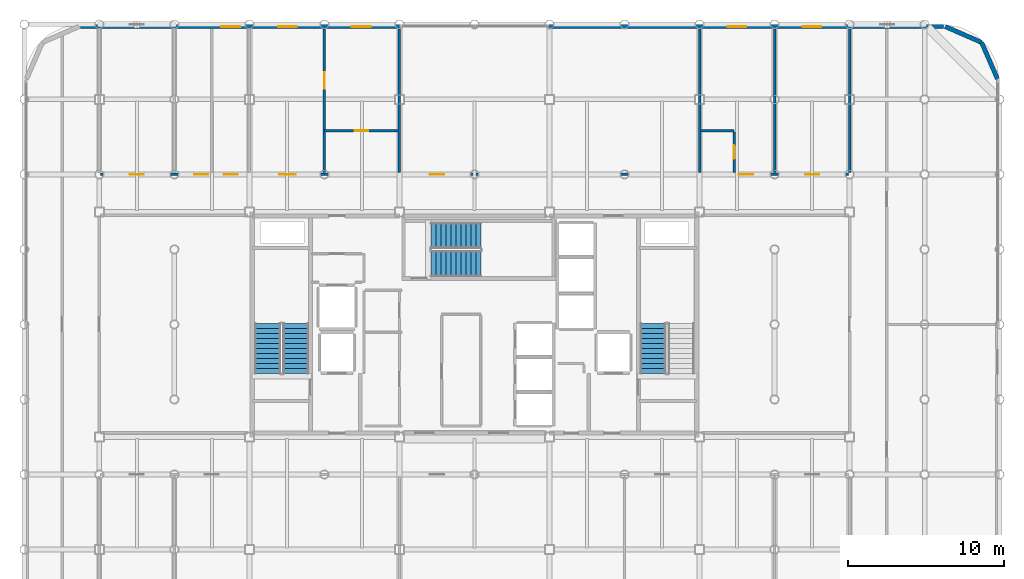
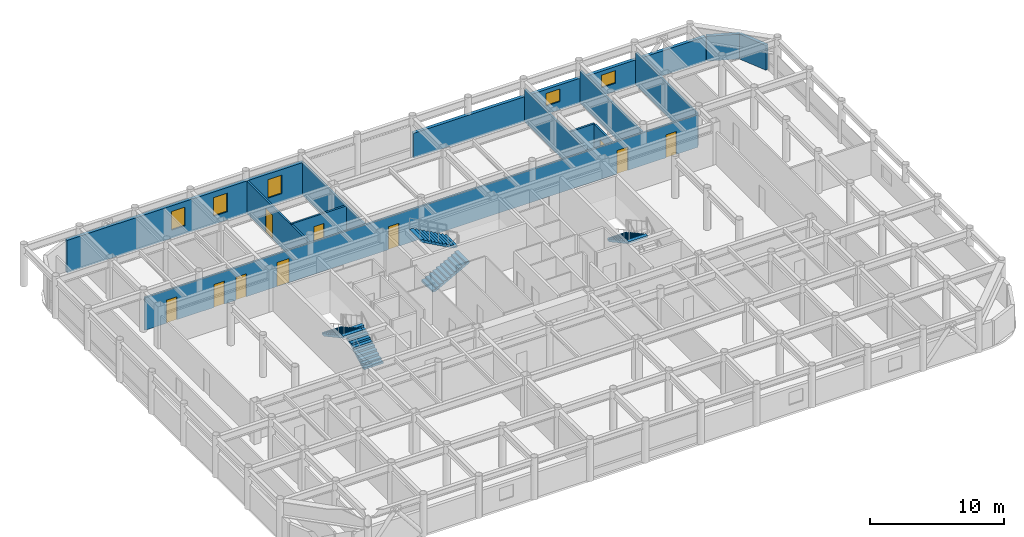
# One storey, part 19 of 21: 13 walls, 10 doors, 5 stair flights, 5 windows, 15 openings, 3 elements without a shape of their own.
"""IFC4 building model written with IfcOpenShell, lengths in metres."""

from ifc_helpers import new_model, si_unit, direction, frame, frame_2d, origin, place, context, subcontext, project, spatial, polyline, rectangle, outline, extrude, material, layer, layer_set, type_object, element, fill, aggregate, save


model = new_model("IFC4")

# Units and contexts
model_context = context("Model", 3, precision=1e-05, world=origin(), true_north=direction((0.0, 1.0)))
body_context = subcontext(model_context, "Body", "Model", "MODEL_VIEW")
ifc_project = project(units=[si_unit("LENGTHUNIT", "METRE"), si_unit("AREAUNIT", "SQUARE_METRE"), si_unit("VOLUMEUNIT", "CUBIC_METRE"), si_unit("PLANEANGLEUNIT", "RADIAN"), si_unit("MASSUNIT", "GRAM", prefix="KILO")], contexts=[model_context])

# Site, building, storey
site_placement = place(None, origin())
site = spatial("IfcSite", under=ifc_project, at=site_placement, CompositionType="ELEMENT")
building_placement = place(site_placement, origin())
building = spatial("IfcBuilding", under=site, at=building_placement, Name="Kallvorn Hotel Tower", CompositionType="ELEMENT")
storey_placement = place(building_placement, frame((0.0, 0.0, 214.60009765625)))
storey = spatial("IfcBuildingStorey", under=building, at=storey_placement, Name="L53", CompositionType="ELEMENT", Elevation=214.60009765625)

# Wall, openings, doors
ifc_material_1 = material(Name="Fire-rated double-layer acoustic gypsum drywall EI 60")
ifc_layer_1 = layer(ifc_material_1, 0.159912109375)
ifc_layer_set_1 = layer_set([ifc_layer_1], Name="WL_DEMISE_160")
wall_type_1 = type_object("IfcWallType", Name="WL_DEMISE_160", PredefinedType="PARTITIONING", material=ifc_layer_set_1)
wall_1_placement = place(storey_placement, frame((-23.919921875, 9.60009765625, 0.0), z_axis=(0.0, 0.0, 1.0), x_axis=(1.0, 0.0, 0.0)))
wall_1 = element("IfcWall", 1, at=wall_1_placement, inside=storey, type_object=wall_type_1, Name="L53 Suite 5301 Junior Living Salon Partition", PredefinedType="PARTITIONING", context=body_context, shape_type="SweptSolid", body=[
    extrude(rectangle(XDim=47.83984375, YDim=0.159912109375, at=frame_2d((23.919921875, 0.0))), origin(), (0.0, 0.0, 1.0), 2.969970703125),
])
opening_1_placement = place(wall_1_placement, frame((1.8701171875, 0.0, 0.0)))
opening_1 = element("IfcOpeningElement", 2, at=opening_1_placement, cuts=wall_1, Name="Opening SVD1", PredefinedType="OPENING", context=body_context, shape_type="SweptSolid", body=[
    extrude(rectangle(XDim=0.89990234375, YDim=2.10009765625, at=frame_2d((0.449951171875, 1.050048828125))), frame((0.0, 0.094970703125, 0.0), z_axis=(0.0, -1.0, 0.0), x_axis=(1.0, 0.0, 0.0)), (0.0, 0.0, 1.0), 0.18994140625),
])
opening_2_placement = place(wall_1_placement, frame((45.070068359375, 0.0, 0.0)))
opening_2 = element("IfcOpeningElement", 3, at=opening_2_placement, cuts=wall_1, Name="Opening SVD1", PredefinedType="OPENING", context=body_context, shape_type="SweptSolid", body=[
    extrude(rectangle(XDim=0.89990234375, YDim=2.10009765625, at=frame_2d((0.449951171875, 1.050048828125))), frame((0.0, 0.094970703125, 0.0), z_axis=(0.0, -1.0, 0.0), x_axis=(1.0, 0.0, 0.0)), (0.0, 0.0, 1.0), 0.18994140625),
])
opening_3_placement = place(wall_1_placement, frame((5.97998046875, 0.0, 0.0)))
opening_3 = element("IfcOpeningElement", 4, at=opening_3_placement, cuts=wall_1, Name="Opening SVD1", PredefinedType="OPENING", context=body_context, shape_type="SweptSolid", body=[
    extrude(rectangle(XDim=0.89990234375, YDim=2.10009765625, at=frame_2d((0.449951171875, 1.050048828125))), frame((0.0, 0.094970703125, 0.0), z_axis=(0.0, -1.0, 0.0), x_axis=(1.0, 0.0, 0.0)), (0.0, 0.0, 1.0), 0.18994140625),
])
opening_4_placement = place(wall_1_placement, frame((7.8701171875, 0.0, 0.0)))
opening_4 = element("IfcOpeningElement", 5, at=opening_4_placement, cuts=wall_1, Name="Opening SVD1", PredefinedType="OPENING", context=body_context, shape_type="SweptSolid", body=[
    extrude(rectangle(XDim=0.89990234375, YDim=2.10009765625, at=frame_2d((0.449951171875, 1.050048828125))), frame((0.0, 0.094970703125, 0.0), z_axis=(0.0, -1.0, 0.0), x_axis=(1.0, 0.0, 0.0)), (0.0, 0.0, 1.0), 0.18994140625),
])
opening_5_placement = place(wall_1_placement, frame((11.43505859375, 0.0, 0.0)))
opening_5 = element("IfcOpeningElement", 6, at=opening_5_placement, cuts=wall_1, Name="Opening GD2", PredefinedType="OPENING", context=body_context, shape_type="SweptSolid", body=[
    extrude(rectangle(XDim=1.050048828125, YDim=2.199951171875, at=frame_2d((0.52490234375, 1.10009765625))), frame((0.0, 0.094970703125, 0.0), z_axis=(0.0, -1.0, 0.0), x_axis=(1.0, 0.0, 0.0)), (0.0, 0.0, 1.0), 0.18994140625),
])
opening_6_placement = place(wall_1_placement, frame((21.070068359375, 0.0, 0.0)))
opening_6 = element("IfcOpeningElement", 7, at=opening_6_placement, cuts=wall_1, Name="Opening SVD1", PredefinedType="OPENING", context=body_context, shape_type="SweptSolid", body=[
    extrude(rectangle(XDim=0.89990234375, YDim=2.10009765625, at=frame_2d((0.449951171875, 1.050048828125))), frame((0.0, 0.094970703125, 0.0), z_axis=(0.0, -1.0, 0.0), x_axis=(1.0, 0.0, 0.0)), (0.0, 0.0, 1.0), 0.18994140625),
])
opening_7_placement = place(wall_1_placement, frame((40.830078125, 0.0, 0.0)))
opening_7 = element("IfcOpeningElement", 8, at=opening_7_placement, cuts=wall_1, Name="Opening GD1", PredefinedType="OPENING", context=body_context, shape_type="SweptSolid", body=[
    extrude(rectangle(XDim=0.919921875, YDim=2.14990234375, at=frame_2d((0.4599609375, 1.074951171875))), frame((0.0, 0.094970703125, 0.0), z_axis=(0.0, -1.0, 0.0), x_axis=(1.0, 0.0, 0.0)), (0.0, 0.0, 1.0), 0.18994140625),
])
ifc_material_2 = material(Name="Solid-core walnut veneer fire-rated timber door leaf", Category="wood")
door_type_1 = type_object("IfcDoorType", Name="DR_GUEST_920x2150", OperationType="NOTDEFINED", PredefinedType="DOOR", material=ifc_material_2)
door_1_placement = place(opening_7_placement, origin())
door_1 = element("IfcDoor", 9, at=door_1_placement, inside=storey, type_object=door_type_1, Name="L53 Suite 5302 Standard Twin Room Door", OperationType="SINGLE_SWING_LEFT", OverallHeight=2.14990234375, OverallWidth=0.919921875, PredefinedType="DOOR", context=body_context, shape_type="SweptSolid", body=[
    extrude(rectangle(XDim=0.919921875, YDim=2.14990234375, at=frame_2d((0.4599609375, 1.074951171875))), frame((0.0, 0.02490234375, 0.0), z_axis=(0.0, -1.0, 0.0), x_axis=(1.0, 0.0, 0.0)), (0.0, 0.0, 1.0), 0.050048828125),
])
fill(opening_7, door_1)
ifc_material_3 = material(Name="Galvanised painted steel fire-rated door assembly", Category="steel")
door_type_2 = type_object("IfcDoorType", Name="DR_SERV_900x2100", OperationType="NOTDEFINED", PredefinedType="DOOR", material=ifc_material_3)
door_2_placement = place(opening_1_placement, origin())
door_2 = element("IfcDoor", 10, at=door_2_placement, inside=storey, type_object=door_type_2, Name="L53 L53 High-Zone North-West Reading Salon Door", OperationType="SINGLE_SWING_RIGHT", OverallHeight=2.10009765625, OverallWidth=0.89990234375, PredefinedType="DOOR", context=body_context, shape_type="SweptSolid", body=[
    extrude(rectangle(XDim=0.89990234375, YDim=2.10009765625, at=frame_2d((0.449951171875, 1.050048828125))), frame((0.0, 0.02490234375, 0.0), z_axis=(0.0, -1.0, 0.0), x_axis=(1.0, 0.0, 0.0)), (0.0, 0.0, 1.0), 0.050048828125),
])
fill(opening_1, door_2)
door_3_placement = place(opening_2_placement, origin())
door_3 = element("IfcDoor", 11, at=door_3_placement, inside=storey, type_object=door_type_2, Name="L53 L53 High-Zone North-East Pastry Bar Door", OperationType="SINGLE_SWING_RIGHT", OverallHeight=2.10009765625, OverallWidth=0.89990234375, PredefinedType="DOOR", context=body_context, shape_type="SweptSolid", body=[
    extrude(rectangle(XDim=0.89990234375, YDim=2.10009765625, at=frame_2d((0.449951171875, 1.050048828125))), frame((0.0, 0.02490234375, 0.0), z_axis=(0.0, -1.0, 0.0), x_axis=(1.0, 0.0, 0.0)), (0.0, 0.0, 1.0), 0.050048828125),
])
fill(opening_2, door_3)
door_4_placement = place(opening_3_placement, origin())
door_4 = element("IfcDoor", 12, at=door_4_placement, inside=storey, type_object=door_type_2, Name="L53 Housekeeping and Linen Room Door", OperationType="SINGLE_SWING_LEFT", OverallHeight=2.10009765625, OverallWidth=0.89990234375, PredefinedType="DOOR", context=body_context, shape_type="SweptSolid", body=[
    extrude(rectangle(XDim=0.89990234375, YDim=2.10009765625, at=frame_2d((0.449951171875, 1.050048828125))), frame((0.0, 0.02490234375, 0.0), z_axis=(0.0, -1.0, 0.0), x_axis=(1.0, 0.0, 0.0)), (0.0, 0.0, 1.0), 0.050048828125),
])
fill(opening_3, door_4)
door_5_placement = place(opening_4_placement, origin())
door_5 = element("IfcDoor", 13, at=door_5_placement, inside=storey, type_object=door_type_2, Name="L53 Guest Tea and Refreshment Bar Door", OperationType="SINGLE_SWING_LEFT", OverallHeight=2.10009765625, OverallWidth=0.89990234375, PredefinedType="DOOR", context=body_context, shape_type="SweptSolid", body=[
    extrude(rectangle(XDim=0.89990234375, YDim=2.10009765625, at=frame_2d((0.449951171875, 1.050048828125))), frame((0.0, 0.02490234375, 0.0), z_axis=(0.0, -1.0, 0.0), x_axis=(1.0, 0.0, 0.0)), (0.0, 0.0, 1.0), 0.050048828125),
])
fill(opening_4, door_5)
door_6_placement = place(opening_6_placement, origin())
door_6 = element("IfcDoor", 14, at=door_6_placement, inside=storey, type_object=door_type_2, Name="L53 L53 Panorama Banquet Event Hall 3 Door", OperationType="SINGLE_SWING_LEFT", OverallHeight=2.10009765625, OverallWidth=0.89990234375, PredefinedType="DOOR", context=body_context, shape_type="SweptSolid", body=[
    extrude(rectangle(XDim=0.89990234375, YDim=2.10009765625, at=frame_2d((0.449951171875, 1.050048828125))), frame((0.0, 0.02490234375, 0.0), z_axis=(0.0, -1.0, 0.0), x_axis=(1.0, 0.0, 0.0)), (0.0, 0.0, 1.0), 0.050048828125),
])
fill(opening_6, door_6)
ifc_material_4 = material(Name="Solid-core walnut veneer fire-rated timber door leaf", Category="wood")
door_type_3 = type_object("IfcDoorType", Name="DR_SUITE_1050x2200", OperationType="NOTDEFINED", PredefinedType="DOOR", material=ifc_material_4)
door_7_placement = place(opening_5_placement, origin())
door_7 = element("IfcDoor", 15, at=door_7_placement, inside=storey, type_object=door_type_3, Name="L53 Suite 5301 Junior Living Salon Door", OperationType="SINGLE_SWING_RIGHT", OverallHeight=2.199951171875, OverallWidth=1.050048828125, PredefinedType="DOOR", context=body_context, shape_type="SweptSolid", body=[
    extrude(rectangle(XDim=1.050048828125, YDim=2.199951171875, at=frame_2d((0.52490234375, 1.10009765625))), frame((0.0, 0.02490234375, 0.0), z_axis=(0.0, -1.0, 0.0), x_axis=(1.0, 0.0, 0.0)), (0.0, 0.0, 1.0), 0.050048828125),
])
fill(opening_5, door_7)

# Wall, opening, door
wall_2_placement = place(storey_placement, frame((-9.60009765625, 12.39501953125, 0.0), z_axis=(0.0, 0.0, 1.0), x_axis=(1.0, 0.0, 0.0)))
wall_2 = element("IfcWall", 16, at=wall_2_placement, inside=storey, type_object=wall_type_1, Name="L53 Suite 5301 Junior Bedroom Partition", PredefinedType="PARTITIONING", context=body_context, shape_type="SweptSolid", body=[
    extrude(rectangle(XDim=4.72021484375, YDim=0.159912109375, at=frame_2d((2.360107421875, 0.0))), origin(), (0.0, 0.0, 1.0), 3.02001953125),
])
opening_8_placement = place(wall_2_placement, frame((1.929931640625, 0.0, 0.0)))
opening_8 = element("IfcOpeningElement", 17, at=opening_8_placement, cuts=wall_2, Name="Opening BD-I", PredefinedType="OPENING", context=body_context, shape_type="SweptSolid", body=[
    extrude(rectangle(XDim=0.860107421875, YDim=2.10009765625, at=frame_2d((0.43017578125, 1.050048828125))), frame((0.0, 0.094970703125, 0.0), z_axis=(0.0, -1.0, 0.0), x_axis=(1.0, 0.0, 0.0)), (0.0, 0.0, 1.0), 0.18994140625),
])
ifc_material_5 = material(Name="Solid-core walnut veneer fire-rated timber door leaf", Category="wood")
door_type_4 = type_object("IfcDoorType", Name="DR_BATH_860x2100", OperationType="NOTDEFINED", PredefinedType="DOOR", material=ifc_material_5)
door_8_placement = place(opening_8_placement, origin())
door_8 = element("IfcDoor", 18, at=door_8_placement, inside=storey, type_object=door_type_4, Name="L53 Suite 5301 En-Suite Bathroom Door", OperationType="SINGLE_SWING_LEFT", OverallHeight=2.10009765625, OverallWidth=0.860107421875, PredefinedType="DOOR", context=body_context, shape_type="SweptSolid", body=[
    extrude(rectangle(XDim=0.860107421875, YDim=2.10009765625, at=frame_2d((0.43017578125, 1.050048828125))), frame((0.0, 0.02490234375, 0.0), z_axis=(0.0, -1.0, 0.0), x_axis=(1.0, 0.0, 0.0)), (0.0, 0.0, 1.0), 0.050048828125),
])
fill(opening_8, door_8)

# Wall
wall_3_placement = place(storey_placement, frame((14.47998046875, 12.39501953125, 0.0), z_axis=(0.0, 0.0, 1.0), x_axis=(1.0, 0.0, 0.0)))
element("IfcWall", 19, at=wall_3_placement, inside=storey, type_object=wall_type_1, Name="L53 Suite 5302 Standard Twin Room Partition", PredefinedType="PARTITIONING", context=body_context, shape_type="SweptSolid", body=[
    extrude(rectangle(XDim=2.130126953125, YDim=0.159912109375, at=frame_2d((1.06494140625, 0.0))), origin(), (0.0, 0.0, 1.0), 3.02001953125),
])

# Wall, opening, door
wall_4_placement = place(storey_placement, frame((-9.60009765625, 9.719970703125, 0.0), z_axis=(0.0, 0.0, 1.0), x_axis=(0.0, 1.0, 0.0)))
wall_4 = element("IfcWall", 20, at=wall_4_placement, inside=storey, type_object=wall_type_1, Name="L53 Suite 5301 Junior Living Salon Partition", PredefinedType="PARTITIONING", context=body_context, shape_type="SweptSolid", body=[
    extrude(rectangle(XDim=9.18994140625, YDim=0.159912109375, at=frame_2d((4.594970703125, 0.0))), origin(), (0.0, 0.0, 1.0), 2.969970703125),
])
opening_9_placement = place(wall_4_placement, frame((5.364990234375, 0.0, 0.0)))
opening_9 = element("IfcOpeningElement", 21, at=opening_9_placement, cuts=wall_4, Name="Opening GD2", PredefinedType="OPENING", context=body_context, shape_type="SweptSolid", body=[
    extrude(rectangle(XDim=1.050048828125, YDim=2.199951171875, at=frame_2d((0.52490234375, 1.10009765625))), frame((0.0, 0.094970703125, 0.0), z_axis=(0.0, -1.0, 0.0), x_axis=(1.0, 0.0, 0.0)), (0.0, 0.0, 1.0), 0.18994140625),
])
door_9_placement = place(opening_9_placement, origin())
door_9 = element("IfcDoor", 22, at=door_9_placement, inside=storey, type_object=door_type_3, Name="L53 Suite 5301 Junior Bedroom Door", OperationType="SINGLE_SWING_LEFT", OverallHeight=2.199951171875, OverallWidth=1.050048828125, PredefinedType="DOOR", context=body_context, shape_type="SweptSolid", body=[
    extrude(rectangle(XDim=1.050048828125, YDim=2.199951171875, at=frame_2d((0.52490234375, 1.10009765625))), frame((0.0, 0.02490234375, 0.0), z_axis=(0.0, -1.0, 0.0), x_axis=(1.0, 0.0, 0.0)), (0.0, 0.0, 1.0), 0.050048828125),
])
fill(opening_9, door_9)

# Walls
for number, where, z_axis, x_axis, name in (
    (23, (-4.800048828125, 9.719970703125, 0.0), (0.0, 0.0, 1.0), (0.0, 1.0, 0.0), "L53 Suite 5301 Junior Bedroom Partition"),
    (24, (14.39990234375, 9.719970703125, 0.0), (0.0, 0.0, 1.0), (0.0, 1.0, 0.0), "L53 Suite 5302 Standard Twin Room Partition"),
):
    element("IfcWall", number, at=place(storey_placement, frame(where, z_axis=z_axis, x_axis=x_axis)), inside=storey, type_object=wall_type_1, Name=name, PredefinedType="PARTITIONING", context=body_context, shape_type="SweptSolid", body=[
        extrude(rectangle(XDim=9.18994140625, YDim=0.159912109375, at=frame_2d((4.594970703125, 0.0))), origin(), (0.0, 0.0, 1.0), 2.969970703125),
    ])

# Wall, opening, door
wall_5_placement = place(storey_placement, frame((16.610107421875, 9.719970703125, 0.0), z_axis=(0.0, 0.0, 1.0), x_axis=(0.0, 1.0, 0.0)))
wall_5 = element("IfcWall", 25, at=wall_5_placement, inside=storey, type_object=wall_type_1, Name="L53 Suite 5302 Standard Twin Room Partition", PredefinedType="PARTITIONING", context=body_context, shape_type="SweptSolid", body=[
    extrude(rectangle(XDim=2.590087890625, YDim=0.159912109375, at=frame_2d((1.294921875, 0.0))), origin(), (0.0, 0.0, 1.0), 2.969970703125),
])
opening_10_placement = place(wall_5_placement, frame((0.8701171875, 0.0, 0.0)))
opening_10 = element("IfcOpeningElement", 26, at=opening_10_placement, cuts=wall_5, Name="Opening BD-I", PredefinedType="OPENING", context=body_context, shape_type="SweptSolid", body=[
    extrude(rectangle(XDim=0.860107421875, YDim=2.10009765625, at=frame_2d((0.43017578125, 1.050048828125))), frame((0.0, 0.094970703125, 0.0), z_axis=(0.0, -1.0, 0.0), x_axis=(1.0, 0.0, 0.0)), (0.0, 0.0, 1.0), 0.18994140625),
])
door_10_placement = place(opening_10_placement, origin())
door_10 = element("IfcDoor", 27, at=door_10_placement, inside=storey, type_object=door_type_4, Name="L53 Suite 5302 En-Suite Bathroom Door", OperationType="SINGLE_SWING_RIGHT", OverallHeight=2.10009765625, OverallWidth=0.860107421875, PredefinedType="DOOR", context=body_context, shape_type="SweptSolid", body=[
    extrude(rectangle(XDim=0.860107421875, YDim=2.10009765625, at=frame_2d((0.43017578125, 1.050048828125))), frame((0.0, 0.02490234375, 0.0), z_axis=(0.0, -1.0, 0.0), x_axis=(1.0, 0.0, 0.0)), (0.0, 0.0, 1.0), 0.050048828125),
])
fill(opening_10, door_10)

# Walls
wall_6_placement = place(storey_placement, frame((19.199951171875, 9.719970703125, 0.0), z_axis=(0.0, 0.0, 1.0), x_axis=(0.0, 1.0, 0.0)))
element("IfcWall", 28, at=wall_6_placement, inside=storey, type_object=wall_type_1, Name="L53 Suite 5302 Standard Twin Room Partition", PredefinedType="PARTITIONING", context=body_context, shape_type="SweptSolid", body=[
    extrude(rectangle(XDim=9.18994140625, YDim=0.159912109375, at=frame_2d((4.594970703125, 0.0))), origin(), (0.0, 0.0, 1.0), 2.969970703125),
])
ifc_material_6 = material(Name="Precast basalt-clad insulated concrete wall C40/50", Category="masonry")
ifc_layer_2 = layer(ifc_material_6, 0.280029296875)
ifc_layer_set_2 = layer_set([ifc_layer_2], Name="WL_EXT_LOGGIA_280")
wall_type_2 = type_object("IfcWallType", Name="WL_EXT_LOGGIA_280", PredefinedType="SOLIDWALL", material=ifc_layer_set_2)
wall_7_placement = place(storey_placement, frame((33.4580078125, 15.720703125, 0.0), z_axis=(0.0, 0.0, 1.0), x_axis=(-0.398792985289, 0.917040977756, 0.0)))
element("IfcWall", 29, at=wall_7_placement, inside=storey, type_object=wall_type_2, Name="L53 Rounded Corner Exterior Wall NE1", PredefinedType="SOLIDWALL", context=body_context, shape_type="SweptSolid", body=[
    extrude(rectangle(XDim=2.536376953125, YDim=0.280029296875, at=frame_2d((1.26806640625, 0.0))), origin(), (0.0, 0.0, 1.0), 2.27001953125),
])
wall_8_placement = place(storey_placement, frame((32.446533203125, 18.046630859375, 0.0), z_axis=(0.0, 0.0, 1.0), x_axis=(-0.917060872934, 0.398747232384, 0.0)))
element("IfcWall", 30, at=wall_8_placement, inside=storey, type_object=wall_type_2, Name="L53 Rounded Corner Exterior Wall NE2", PredefinedType="SOLIDWALL", context=body_context, shape_type="SweptSolid", body=[
    extrude(rectangle(XDim=2.5361328125, YDim=0.280029296875, at=frame_2d((1.26806640625, 0.0))), origin(), (0.0, 0.0, 1.0), 2.27001953125),
])

# Wall, openings, windows
wall_9_placement = place(storey_placement, frame((-25.199951171875, 19.06005859375, 0.0), z_axis=(0.0, 0.0, 1.0), x_axis=(1.0, 0.0, 0.0)))
wall_9 = element("IfcWall", 31, at=wall_9_placement, inside=storey, type_object=wall_type_2, Name="L53 Exterior Envelope Wall EW-L53-NW", PredefinedType="SOLIDWALL", context=body_context, shape_type="SweptSolid", body=[
    extrude(rectangle(XDim=20.449951171875, YDim=0.280029296875, at=frame_2d((10.22509765625, 0.0))), origin(), (0.0, 0.0, 1.0), 2.969970703125),
])
opening_11_placement = place(wall_9_placement, frame((9.0, 0.0, 0.75)))
opening_11 = element("IfcOpeningElement", 32, at=opening_11_placement, cuts=wall_9, Name="Opening W06", PredefinedType="OPENING", context=body_context, shape_type="SweptSolid", body=[
    extrude(rectangle(XDim=1.199951171875, YDim=1.699951171875, at=frame_2d((0.60009765625, 0.85009765625))), frame((0.0, 0.155029296875, 0.0), z_axis=(0.0, -1.0, 0.0), x_axis=(1.0, 0.0, 0.0)), (0.0, 0.0, 1.0), 0.31005859375),
])
opening_12_placement = place(wall_9_placement, frame((12.639892578125, 0.0, 0.75)))
opening_12 = element("IfcOpeningElement", 33, at=opening_12_placement, cuts=wall_9, Name="Opening W06", PredefinedType="OPENING", context=body_context, shape_type="SweptSolid", body=[
    extrude(rectangle(XDim=1.199951171875, YDim=1.699951171875, at=frame_2d((0.60009765625, 0.85009765625))), frame((0.0, 0.155029296875, 0.0), z_axis=(0.0, -1.0, 0.0), x_axis=(1.0, 0.0, 0.0)), (0.0, 0.0, 1.0), 0.31005859375),
])
opening_13_placement = place(wall_9_placement, frame((17.360107421875, 0.0, 0.75)))
opening_13 = element("IfcOpeningElement", 34, at=opening_13_placement, cuts=wall_9, Name="Opening W06", PredefinedType="OPENING", context=body_context, shape_type="SweptSolid", body=[
    extrude(rectangle(XDim=1.199951171875, YDim=1.699951171875, at=frame_2d((0.60009765625, 0.85009765625))), frame((0.0, 0.155029296875, 0.0), z_axis=(0.0, -1.0, 0.0), x_axis=(1.0, 0.0, 0.0)), (0.0, 0.0, 1.0), 0.31005859375),
])
ifc_material_7 = material(Name="Triple-glazed low-e acoustic solar-control dark glass", Category="glass")
window_type_1 = type_object("IfcWindowType", Name="WN_HTL_1200x1700", PartitioningType="SINGLE_PANEL", PredefinedType="WINDOW", material=ifc_material_7)
window_1_placement = place(opening_11_placement, origin())
window_1 = element("IfcWindow", 35, at=window_1_placement, inside=storey, type_object=window_type_1, Name="L53 Guestroom Exterior Window 06", OverallHeight=1.699951171875, OverallWidth=1.199951171875, PartitioningType="SINGLE_PANEL", PredefinedType="WINDOW", context=body_context, shape_type="SweptSolid", body=[
    extrude(rectangle(XDim=1.199951171875, YDim=1.699951171875, at=frame_2d((0.60009765625, 0.85009765625))), frame((0.0, 0.030029296875, 0.0), z_axis=(0.0, -1.0, 0.0), x_axis=(1.0, 0.0, 0.0)), (0.0, 0.0, 1.0), 0.06005859375),
])
fill(opening_11, window_1)
window_2_placement = place(opening_12_placement, origin())
window_2 = element("IfcWindow", 36, at=window_2_placement, inside=storey, type_object=window_type_1, Name="L53 Guestroom Exterior Window 07", OverallHeight=1.699951171875, OverallWidth=1.199951171875, PartitioningType="SINGLE_PANEL", PredefinedType="WINDOW", context=body_context, shape_type="SweptSolid", body=[
    extrude(rectangle(XDim=1.199951171875, YDim=1.699951171875, at=frame_2d((0.60009765625, 0.85009765625))), frame((0.0, 0.030029296875, 0.0), z_axis=(0.0, -1.0, 0.0), x_axis=(1.0, 0.0, 0.0)), (0.0, 0.0, 1.0), 0.06005859375),
])
fill(opening_12, window_2)
window_3_placement = place(opening_13_placement, origin())
window_3 = element("IfcWindow", 37, at=window_3_placement, inside=storey, type_object=window_type_1, Name="L53 Guestroom Exterior Window 08", OverallHeight=1.699951171875, OverallWidth=1.199951171875, PartitioningType="SINGLE_PANEL", PredefinedType="WINDOW", context=body_context, shape_type="SweptSolid", body=[
    extrude(rectangle(XDim=1.199951171875, YDim=1.699951171875, at=frame_2d((0.60009765625, 0.85009765625))), frame((0.0, 0.030029296875, 0.0), z_axis=(0.0, -1.0, 0.0), x_axis=(1.0, 0.0, 0.0)), (0.0, 0.0, 1.0), 0.06005859375),
])
fill(opening_13, window_3)

wall_10_placement = place(storey_placement, frame((4.75, 19.06005859375, 0.0), z_axis=(0.0, 0.0, 1.0), x_axis=(1.0, 0.0, 0.0)))
wall_10 = element("IfcWall", 38, at=wall_10_placement, inside=storey, type_object=wall_type_2, Name="L53 Exterior Envelope Wall EW-L53-NE", PredefinedType="SOLIDWALL", context=body_context, shape_type="SweptSolid", body=[
    extrude(rectangle(XDim=25.25, YDim=0.280029296875, at=frame_2d((12.625, 0.0))), origin(), (0.0, 0.0, 1.0), 2.27001953125),
])
opening_14_placement = place(wall_10_placement, frame((16.25, 0.0, 0.75)))
opening_14 = element("IfcOpeningElement", 39, at=opening_14_placement, cuts=wall_10, Name="Opening W06A", PredefinedType="OPENING", context=body_context, shape_type="SweptSolid", body=[
    extrude(rectangle(XDim=1.199951171875, YDim=1.14990234375, at=frame_2d((0.60009765625, 0.574951171875))), frame((0.0, 0.155029296875, 0.0), z_axis=(0.0, -1.0, 0.0), x_axis=(1.0, 0.0, 0.0)), (0.0, 0.0, 1.0), 0.31005859375),
])
opening_15_placement = place(wall_10_placement, frame((11.449951171875, 0.0, 0.75)))
opening_15 = element("IfcOpeningElement", 40, at=opening_15_placement, cuts=wall_10, Name="Opening W06A", PredefinedType="OPENING", context=body_context, shape_type="SweptSolid", body=[
    extrude(rectangle(XDim=1.199951171875, YDim=1.14990234375, at=frame_2d((0.60009765625, 0.574951171875))), frame((0.0, 0.155029296875, 0.0), z_axis=(0.0, -1.0, 0.0), x_axis=(1.0, 0.0, 0.0)), (0.0, 0.0, 1.0), 0.31005859375),
])
ifc_material_8 = material(Name="Triple-glazed low-e acoustic solar-control dark glass", Category="glass")
window_type_2 = type_object("IfcWindowType", Name="WN_HTL_1200x1150", PartitioningType="SINGLE_PANEL", PredefinedType="WINDOW", material=ifc_material_8)
window_4_placement = place(opening_14_placement, origin())
window_4 = element("IfcWindow", 41, at=window_4_placement, inside=storey, type_object=window_type_2, Name="L53 Guestroom Exterior Window 02", OverallHeight=1.14990234375, OverallWidth=1.199951171875, PartitioningType="SINGLE_PANEL", PredefinedType="WINDOW", context=body_context, shape_type="SweptSolid", body=[
    extrude(rectangle(XDim=1.199951171875, YDim=1.14990234375, at=frame_2d((0.60009765625, 0.574951171875))), frame((0.0, 0.030029296875, 0.0), z_axis=(0.0, -1.0, 0.0), x_axis=(1.0, 0.0, 0.0)), (0.0, 0.0, 1.0), 0.06005859375),
])
fill(opening_14, window_4)
window_5_placement = place(opening_15_placement, origin())
window_5 = element("IfcWindow", 42, at=window_5_placement, inside=storey, type_object=window_type_2, Name="L53 Guestroom Exterior Window 09", OverallHeight=1.14990234375, OverallWidth=1.199951171875, PartitioningType="SINGLE_PANEL", PredefinedType="WINDOW", context=body_context, shape_type="SweptSolid", body=[
    extrude(rectangle(XDim=1.199951171875, YDim=1.14990234375, at=frame_2d((0.60009765625, 0.574951171875))), frame((0.0, 0.030029296875, 0.0), z_axis=(0.0, -1.0, 0.0), x_axis=(1.0, 0.0, 0.0)), (0.0, 0.0, 1.0), 0.06005859375),
])
fill(opening_15, window_5)

# Wall
ifc_material_9 = material(Name="Fire-rated double-layer acoustic gypsum drywall EI 60")
ifc_layer_3 = layer(ifc_material_9, 0.14990234375)
ifc_layer_set_3 = layer_set([ifc_layer_3], Name="WL_PART_150")
wall_type_3 = type_object("IfcWallType", Name="WL_PART_150", PredefinedType="PARTITIONING", material=ifc_layer_set_3)
wall_11_placement = place(storey_placement, frame((24.0, 9.719970703125, 0.0), z_axis=(0.0, 0.0, 1.0), x_axis=(0.0, 1.0, 0.0)))
element("IfcWall", 43, at=wall_11_placement, inside=storey, type_object=wall_type_3, Name="L53 L53 High-Zone North-East Pastry Bar Partition", PredefinedType="PARTITIONING", context=body_context, shape_type="SweptSolid", body=[
    extrude(rectangle(XDim=9.18994140625, YDim=0.14990234375, at=frame_2d((4.594970703125, 0.0))), origin(), (0.0, 0.0, 1.0), 2.969970703125),
])

# Stair, stair flights
ifc_material_10 = material(Name="Precast concrete C40/50", Category="concrete")
stair_type = type_object("IfcStairType", Name="STR_CORE_DOGLEG", PredefinedType="HALF_TURN_STAIR", material=ifc_material_10)
stair_1_placement = place(storey_placement, origin())
stair_1 = element("IfcStair", 44, at=stair_1_placement, inside=storey, type_object=stair_type, Name="L53 Exit stair ST1", PredefinedType="HALF_TURN_STAIR")
ifc_material_11 = material(Name="Precast concrete C40/50", Category="concrete")
stair_flight_type = type_object("IfcStairFlightType", Name="FLT_CORE_1660", PredefinedType="STRAIGHT", material=ifc_material_11)
stair_flight_1_placement = place(storey_placement, frame((-11.429931640625, -3.139892578125, 0.0), z_axis=(0.0, 0.0, 1.0), x_axis=(0.0, 1.0, 0.0)))
stair_flight_1 = element("IfcStairFlight", 45, at=stair_flight_1_placement, type_object=stair_flight_type, Name="ST1 flight 1", NumberOfRisers=11, NumberOfTreads=10, PredefinedType="STRAIGHT", RiserHeight=0.175, TreadLength=0.32, context=body_context, shape_type="SweptSolid", body=[
    extrude(outline(polyline([(0.0, 0.0), (0.0, 0.175048828125), (0.320068359375, 0.175048828125), (0.320068359375, 0.35009765625), (0.639892578125, 0.35009765625), (0.639892578125, 0.52490234375), (0.9599609375, 0.52490234375), (0.9599609375, 0.699951171875), (1.280029296875, 0.699951171875), (1.280029296875, 0.875), (1.60009765625, 0.875), (1.60009765625, 1.050048828125), (1.919921875, 1.050048828125), (1.919921875, 1.22509765625), (2.239990234375, 1.22509765625), (2.239990234375, 1.39990234375), (2.56005859375, 1.39990234375), (2.56005859375, 1.574951171875), (2.8798828125, 1.574951171875), (2.8798828125, 1.75), (3.199951171875, 1.75), (3.199951171875, 1.925048828125), (3.199951171875, 1.5791015625), (0.3125, 0.0), (0.0, 0.0)])), frame((0.0, 0.830078125, 0.0), z_axis=(0.0, -1.0, 0.0), x_axis=(1.0, 0.0, 0.0)), (0.0, 0.0, 1.0), 1.659912109375),
])
stair_flight_2_placement = place(storey_placement, frame((-13.22998046875, 0.06005859375, 1.9248046875), z_axis=(0.0, 0.0, 1.0), x_axis=(0.0, -1.0, 0.0)))
stair_flight_2 = element("IfcStairFlight", 46, at=stair_flight_2_placement, type_object=stair_flight_type, Name="ST1 flight 2", NumberOfRisers=11, NumberOfTreads=10, PredefinedType="STRAIGHT", RiserHeight=0.175, TreadLength=0.32, context=body_context, shape_type="SweptSolid", body=[
    extrude(outline(polyline([(0.0, 0.0), (0.0, 0.175048828125), (0.320068359375, 0.175048828125), (0.320068359375, 0.35009765625), (0.639892578125, 0.35009765625), (0.639892578125, 0.52490234375), (0.9599609375, 0.52490234375), (0.9599609375, 0.699951171875), (1.280029296875, 0.699951171875), (1.280029296875, 0.875), (1.60009765625, 0.875), (1.60009765625, 1.050048828125), (1.919921875, 1.050048828125), (1.919921875, 1.22509765625), (2.239990234375, 1.22509765625), (2.239990234375, 1.39990234375), (2.56005859375, 1.39990234375), (2.56005859375, 1.574951171875), (2.8798828125, 1.574951171875), (2.8798828125, 1.75), (3.199951171875, 1.75), (3.199951171875, 1.925048828125), (3.199951171875, 1.5791015625), (0.3125, 0.0), (0.0, 0.0)])), frame((0.0, 0.830078125, 0.0), z_axis=(0.0, -1.0, 0.0), x_axis=(1.0, 0.0, 0.0)), (0.0, 0.0, 1.0), 1.659912109375),
])
aggregate(stair_1, [stair_flight_1, stair_flight_2])

# Stair, stair flight
stair_2_placement = place(storey_placement, origin())
stair_2 = element("IfcStair", 47, at=stair_2_placement, inside=storey, type_object=stair_type, Name="L53 Exit stair ST2", PredefinedType="HALF_TURN_STAIR")
stair_flight_3_placement = place(storey_placement, frame((11.429931640625, 0.06005859375, 1.9248046875), z_axis=(0.0, 0.0, 1.0), x_axis=(0.0, -1.0, 0.0)))
stair_flight_3 = element("IfcStairFlight", 48, at=stair_flight_3_placement, type_object=stair_flight_type, Name="ST2 flight 2", NumberOfRisers=11, NumberOfTreads=10, PredefinedType="STRAIGHT", RiserHeight=0.175, TreadLength=0.32, context=body_context, shape_type="SweptSolid", body=[
    extrude(outline(polyline([(0.0, 0.0), (0.0, 0.175048828125), (0.320068359375, 0.175048828125), (0.320068359375, 0.35009765625), (0.639892578125, 0.35009765625), (0.639892578125, 0.52490234375), (0.9599609375, 0.52490234375), (0.9599609375, 0.699951171875), (1.280029296875, 0.699951171875), (1.280029296875, 0.875), (1.60009765625, 0.875), (1.60009765625, 1.050048828125), (1.919921875, 1.050048828125), (1.919921875, 1.22509765625), (2.239990234375, 1.22509765625), (2.239990234375, 1.39990234375), (2.56005859375, 1.39990234375), (2.56005859375, 1.574951171875), (2.8798828125, 1.574951171875), (2.8798828125, 1.75), (3.199951171875, 1.75), (3.199951171875, 1.925048828125), (3.199951171875, 1.5791015625), (0.3125, 0.0), (0.0, 0.0)])), frame((0.0, 0.830078125, 0.0), z_axis=(0.0, -1.0, 0.0), x_axis=(1.0, 0.0, 0.0)), (0.0, 0.0, 1.0), 1.659912109375),
])
aggregate(stair_2, [stair_flight_3])

# Stair, stair flights
stair_3_placement = place(storey_placement, origin())
stair_3 = element("IfcStair", 49, at=stair_3_placement, inside=storey, type_object=stair_type, Name="L53 Exit stair ST3", PredefinedType="HALF_TURN_STAIR")
stair_flight_4_placement = place(storey_placement, frame((-2.7900390625, 3.8798828125, 0.0), z_axis=(0.0, 0.0, 1.0), x_axis=(1.0, 0.0, 0.0)))
stair_flight_4 = element("IfcStairFlight", 50, at=stair_flight_4_placement, type_object=stair_flight_type, Name="ST3 flight 1", NumberOfRisers=11, NumberOfTreads=10, PredefinedType="STRAIGHT", RiserHeight=0.175, TreadLength=0.32, context=body_context, shape_type="SweptSolid", body=[
    extrude(outline(polyline([(0.0, 0.0), (0.0, 0.175048828125), (0.320068359375, 0.175048828125), (0.320068359375, 0.35009765625), (0.639892578125, 0.35009765625), (0.639892578125, 0.52490234375), (0.9599609375, 0.52490234375), (0.9599609375, 0.699951171875), (1.280029296875, 0.699951171875), (1.280029296875, 0.875), (1.60009765625, 0.875), (1.60009765625, 1.050048828125), (1.919921875, 1.050048828125), (1.919921875, 1.22509765625), (2.239990234375, 1.22509765625), (2.239990234375, 1.39990234375), (2.56005859375, 1.39990234375), (2.56005859375, 1.574951171875), (2.8798828125, 1.574951171875), (2.8798828125, 1.75), (3.199951171875, 1.75), (3.199951171875, 1.925048828125), (3.199951171875, 1.5791015625), (0.3125, 0.0), (0.0, 0.0)])), frame((0.0, 0.830078125, 0.0), z_axis=(0.0, -1.0, 0.0), x_axis=(1.0, 0.0, 0.0)), (0.0, 0.0, 1.0), 1.659912109375),
])
stair_flight_5_placement = place(storey_placement, frame((0.409912109375, 5.679931640625, 1.9248046875), z_axis=(0.0, 0.0, 1.0), x_axis=(-1.0, 0.0, 0.0)))
stair_flight_5 = element("IfcStairFlight", 51, at=stair_flight_5_placement, type_object=stair_flight_type, Name="ST3 flight 2", NumberOfRisers=11, NumberOfTreads=10, PredefinedType="STRAIGHT", RiserHeight=0.175, TreadLength=0.32, context=body_context, shape_type="SweptSolid", body=[
    extrude(outline(polyline([(0.0, 0.0), (0.0, 0.175048828125), (0.320068359375, 0.175048828125), (0.320068359375, 0.35009765625), (0.639892578125, 0.35009765625), (0.639892578125, 0.52490234375), (0.9599609375, 0.52490234375), (0.9599609375, 0.699951171875), (1.280029296875, 0.699951171875), (1.280029296875, 0.875), (1.60009765625, 0.875), (1.60009765625, 1.050048828125), (1.919921875, 1.050048828125), (1.919921875, 1.22509765625), (2.239990234375, 1.22509765625), (2.239990234375, 1.39990234375), (2.56005859375, 1.39990234375), (2.56005859375, 1.574951171875), (2.8798828125, 1.574951171875), (2.8798828125, 1.75), (3.199951171875, 1.75), (3.199951171875, 1.925048828125), (3.199951171875, 1.5791015625), (0.3125, 0.0), (0.0, 0.0)])), frame((0.0, 0.830078125, 0.0), z_axis=(0.0, -1.0, 0.0), x_axis=(1.0, 0.0, 0.0)), (0.0, 0.0, 1.0), 1.659912109375),
])
aggregate(stair_3, [stair_flight_4, stair_flight_5])

save(model, "model.ifc")
